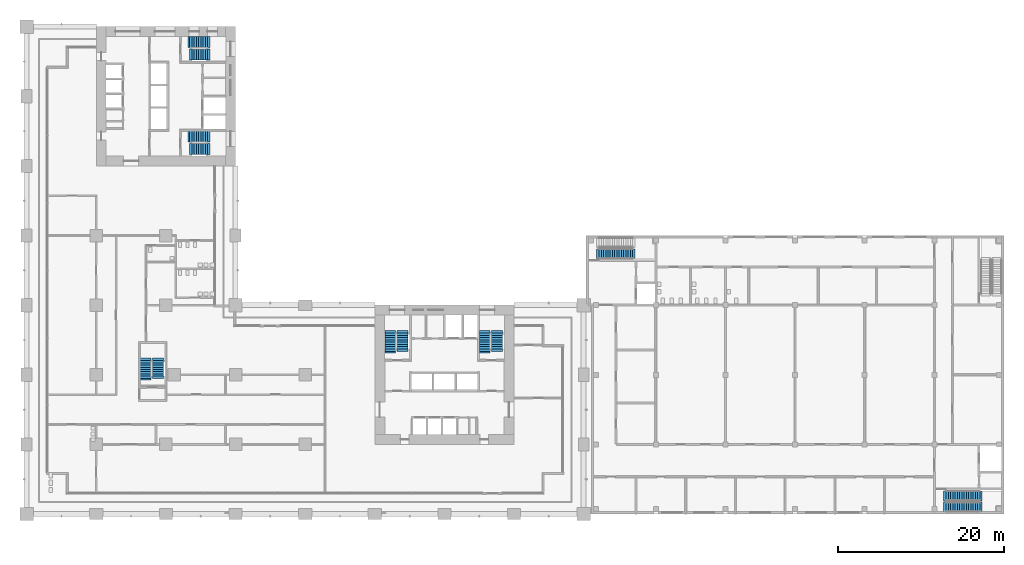
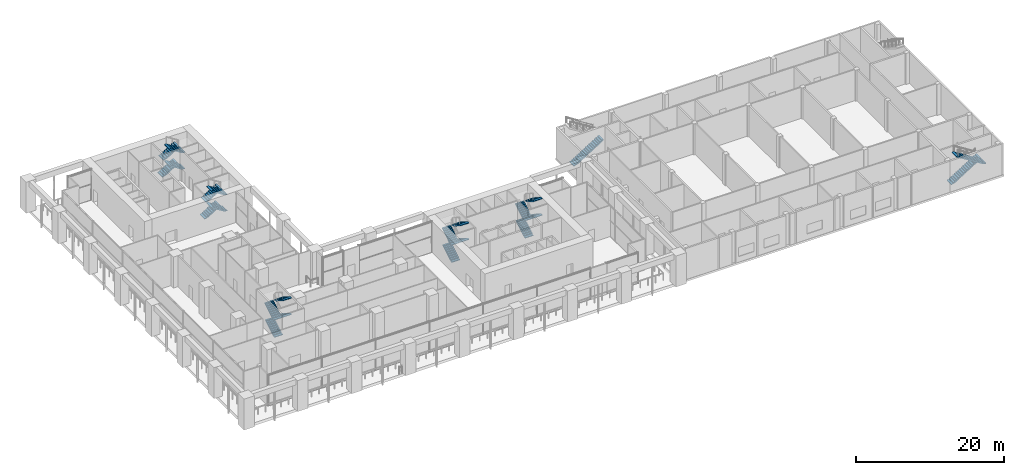
# One storey, part 23 of 33: 23 stair flights, 7 elements without a shape of their own.
"""IFC4 building model written with IfcOpenShell, lengths in metres."""

from ifc_helpers import new_model, si_unit, direction, frame, origin, place, context, subcontext, project, spatial, polyline, outline, extrude, material, type_object, element, aggregate, save


model = new_model("IFC4")

# Units and contexts
model_context = context("Model", 3, precision=1e-05, world=origin(), true_north=direction((0.0, 1.0)))
body_context = subcontext(model_context, "Body", "Model", "MODEL_VIEW")
ifc_project = project(units=[si_unit("LENGTHUNIT", "METRE"), si_unit("AREAUNIT", "SQUARE_METRE"), si_unit("VOLUMEUNIT", "CUBIC_METRE"), si_unit("PLANEANGLEUNIT", "RADIAN"), si_unit("MASSUNIT", "GRAM", prefix="KILO")], contexts=[model_context])

# Site, building, storey
site_placement = place(None, origin())
site = spatial("IfcSite", under=ifc_project, at=site_placement, CompositionType="ELEMENT")
building_placement = place(site_placement, origin())
building = spatial("IfcBuilding", under=site, at=building_placement, Name="Vermilion Gate Residences", CompositionType="ELEMENT")
storey_placement = place(building_placement, frame((0.0, 0.0, 14.39990234375)))
storey = spatial("IfcBuildingStorey", under=building, at=storey_placement, Name="L02", CompositionType="ELEMENT", Elevation=14.39990234375)

# Stair, stair flight
ifc_material_1 = material(Name="Concrete C35", Category="concrete")
stair_type_1 = type_object("IfcStairType", Name="RC STAIR 1200 (MARKET HALL)", PredefinedType="HALF_TURN_STAIR", material=ifc_material_1)
stair_1_placement = place(storey_placement, origin())
stair_1 = element("IfcStair", 1, at=stair_1_placement, inside=storey, type_object=stair_type_1, Name="Stair STH1-02", PredefinedType="HALF_TURN_STAIR")
ifc_material_2 = material(Name="Concrete C35", Category="concrete")
stair_flight_type_1 = type_object("IfcStairFlightType", Name="RC STAIR FLIGHT 1200 (MARKET HALL)", PredefinedType="STRAIGHT", material=ifc_material_2)
stair_flight_1_placement = place(storey_placement, frame((69.050048828125, 31.39990234375, 0.0), z_axis=(0.0, 0.0, 1.0), x_axis=(1.0, 0.0, 0.0)))
stair_flight_1 = element("IfcStairFlight", 2, at=stair_flight_1_placement, type_object=stair_flight_type_1, Name="STH1-02 flight 1", NumberOfRisers=16, NumberOfTreads=15, PredefinedType="STRAIGHT", RiserHeight=0.16875, TreadLength=0.27, context=body_context, shape_type="SweptSolid", body=[
    extrude(outline(polyline([(-0.300048828125, -0.14990234375), (-0.300048828125, -0.030029296875), (0.0, 0.0), (0.0, 0.168701171875), (0.27001953125, 0.168701171875), (0.27001953125, 0.33740234375), (0.5400390625, 0.33740234375), (0.5400390625, 0.50634765625), (0.81005859375, 0.50634765625), (0.81005859375, 0.675048828125), (1.080078125, 0.675048828125), (1.080078125, 0.84375), (1.35009765625, 0.84375), (1.35009765625, 1.012451171875), (1.6201171875, 1.012451171875), (1.6201171875, 1.18115234375), (1.889892578125, 1.18115234375), (1.889892578125, 1.35009765625), (2.159912109375, 1.35009765625), (2.159912109375, 1.518798828125), (2.429931640625, 1.518798828125), (2.429931640625, 1.6875), (2.699951171875, 1.6875), (2.699951171875, 1.856201171875), (2.969970703125, 1.856201171875), (2.969970703125, 2.02490234375), (3.239990234375, 2.02490234375), (3.239990234375, 2.19384765625), (3.510009765625, 2.19384765625), (3.510009765625, 2.362548828125), (3.780029296875, 2.362548828125), (3.780029296875, 2.53125), (4.050048828125, 2.53125), (4.050048828125, 2.699951171875), (4.35009765625, 2.669921875), (4.35009765625, 2.550048828125), (4.050048828125, 2.3544921875), (0.28271484375, 0.0), (-0.300048828125, -0.14990234375)])), frame((0.0, 0.60009765625, 0.0), z_axis=(0.0, -1.0, 0.0), x_axis=(1.0, 0.0, 0.0)), (0.0, 0.0, 1.0), 1.199951171875),
])
aggregate(stair_1, [stair_flight_1])

# Stair, stair flights
stair_2_placement = place(storey_placement, origin())
stair_2 = element("IfcStair", 3, at=stair_2_placement, inside=storey, type_object=stair_type_1, Name="Stair STH2-02", PredefinedType="HALF_TURN_STAIR")
stair_flight_2_placement = place(storey_placement, frame((110.925048828125, 2.199951171875, 0.0), z_axis=(0.0, 0.0, 1.0), x_axis=(1.0, 0.0, 0.0)))
stair_flight_2 = element("IfcStairFlight", 4, at=stair_flight_2_placement, type_object=stair_flight_type_1, Name="STH2-02 flight 1", NumberOfRisers=16, NumberOfTreads=15, PredefinedType="STRAIGHT", RiserHeight=0.16875, TreadLength=0.27, context=body_context, shape_type="SweptSolid", body=[
    extrude(outline(polyline([(-0.300048828125, -0.14990234375), (-0.300048828125, -0.030029296875), (0.0, 0.0), (0.0, 0.168701171875), (0.27001953125, 0.168701171875), (0.27001953125, 0.33740234375), (0.5400390625, 0.33740234375), (0.5400390625, 0.50634765625), (0.81005859375, 0.50634765625), (0.81005859375, 0.675048828125), (1.080078125, 0.675048828125), (1.080078125, 0.84375), (1.35009765625, 0.84375), (1.35009765625, 1.012451171875), (1.6201171875, 1.012451171875), (1.6201171875, 1.18115234375), (1.889892578125, 1.18115234375), (1.889892578125, 1.35009765625), (2.159912109375, 1.35009765625), (2.159912109375, 1.518798828125), (2.429931640625, 1.518798828125), (2.429931640625, 1.6875), (2.699951171875, 1.6875), (2.699951171875, 1.856201171875), (2.969970703125, 1.856201171875), (2.969970703125, 2.02490234375), (3.239990234375, 2.02490234375), (3.239990234375, 2.19384765625), (3.510009765625, 2.19384765625), (3.510009765625, 2.362548828125), (3.780029296875, 2.362548828125), (3.780029296875, 2.53125), (4.050048828125, 2.53125), (4.050048828125, 2.699951171875), (4.35009765625, 2.669921875), (4.35009765625, 2.550048828125), (4.050048828125, 2.3544921875), (0.28271484375, 0.0), (-0.300048828125, -0.14990234375)])), frame((0.0, 0.60009765625, 0.0), z_axis=(0.0, -1.0, 0.0), x_axis=(1.0, 0.0, 0.0)), (0.0, 0.0, 1.0), 1.199951171875),
])
stair_flight_3_placement = place(storey_placement, frame((114.97509765625, 0.85009765625, 2.7001953125), z_axis=(0.0, 0.0, 1.0), x_axis=(-1.0, 0.0, 0.0)))
stair_flight_3 = element("IfcStairFlight", 5, at=stair_flight_3_placement, type_object=stair_flight_type_1, Name="STH2-02 flight 2", NumberOfRisers=16, NumberOfTreads=15, PredefinedType="STRAIGHT", RiserHeight=0.16875, TreadLength=0.27, context=body_context, shape_type="SweptSolid", body=[
    extrude(outline(polyline([(-0.300048828125, -0.14990234375), (-0.300048828125, -0.030029296875), (0.0, 0.0), (0.0, 0.168701171875), (0.27001953125, 0.168701171875), (0.27001953125, 0.33740234375), (0.5400390625, 0.33740234375), (0.5400390625, 0.50634765625), (0.81005859375, 0.50634765625), (0.81005859375, 0.675048828125), (1.080078125, 0.675048828125), (1.080078125, 0.84375), (1.35009765625, 0.84375), (1.35009765625, 1.012451171875), (1.6201171875, 1.012451171875), (1.6201171875, 1.18115234375), (1.889892578125, 1.18115234375), (1.889892578125, 1.35009765625), (2.159912109375, 1.35009765625), (2.159912109375, 1.518798828125), (2.429931640625, 1.518798828125), (2.429931640625, 1.6875), (2.699951171875, 1.6875), (2.699951171875, 1.856201171875), (2.969970703125, 1.856201171875), (2.969970703125, 2.02490234375), (3.239990234375, 2.02490234375), (3.239990234375, 2.19384765625), (3.510009765625, 2.19384765625), (3.510009765625, 2.362548828125), (3.780029296875, 2.362548828125), (3.780029296875, 2.53125), (4.050048828125, 2.53125), (4.050048828125, 2.699951171875), (4.35009765625, 2.669921875), (4.35009765625, 2.550048828125), (4.050048828125, 2.3544921875), (0.28271484375, 0.0), (-0.300048828125, -0.14990234375)])), frame((0.0, 0.60009765625, 0.0), z_axis=(0.0, -1.0, 0.0), x_axis=(1.0, 0.0, 0.0)), (0.0, 0.0, 1.0), 1.199951171875),
])
aggregate(stair_2, [stair_flight_2, stair_flight_3])

ifc_material_3 = material(Name="Concrete C50", Category="concrete")
stair_type_2 = type_object("IfcStairType", Name="SPECIAL ESCAPE STAIR 1300", PredefinedType="HALF_TURN_STAIR", material=ifc_material_3)
stair_3_placement = place(storey_placement, origin())
stair_3 = element("IfcStair", 6, at=stair_3_placement, inside=storey, type_object=stair_type_2, Name="Special escape stair STA1-02", PredefinedType="HALF_TURN_STAIR")
ifc_material_4 = material(Name="Concrete C50", Category="concrete")
stair_flight_type_2 = type_object("IfcStairFlightType", Name="STAIR FLIGHT 1300 RC C50", PredefinedType="STRAIGHT", material=ifc_material_4)
stair_flight_4_placement = place(storey_placement, frame((43.85009765625, 19.75, 0.0), z_axis=(0.0, 0.0, 1.0), x_axis=(0.0, 1.0, 0.0)))
stair_flight_4 = element("IfcStairFlight", 7, at=stair_flight_4_placement, type_object=stair_flight_type_2, Name="STA1-02 flight 1", NumberOfRisers=8, NumberOfTreads=7, PredefinedType="STRAIGHT", RiserHeight=0.16875, TreadLength=0.27, context=body_context, shape_type="SweptSolid", body=[
    extrude(outline(polyline([(-0.300048828125, -0.14990234375), (-0.300048828125, -0.030029296875), (0.0, 0.0), (0.0, 0.168701171875), (0.27001953125, 0.168701171875), (0.27001953125, 0.33740234375), (0.5400390625, 0.33740234375), (0.5400390625, 0.50634765625), (0.81005859375, 0.50634765625), (0.81005859375, 0.675048828125), (1.080078125, 0.675048828125), (1.080078125, 0.84375), (1.35009765625, 0.84375), (1.35009765625, 1.012451171875), (1.6201171875, 1.012451171875), (1.6201171875, 1.18115234375), (1.889892578125, 1.18115234375), (1.889892578125, 1.35009765625), (2.18994140625, 1.320068359375), (2.18994140625, 1.2001953125), (1.889892578125, 1.00439453125), (0.28271484375, 0.0), (-0.300048828125, -0.14990234375)])), frame((0.0, 0.64990234375, 0.0), z_axis=(0.0, -1.0, 0.0), x_axis=(1.0, 0.0, 0.0)), (0.0, 0.0, 1.0), 1.300048828125),
])
stair_flight_5_placement = place(storey_placement, frame((45.35009765625, 21.820068359375, 1.35009765625), z_axis=(0.0, 0.0, 1.0), x_axis=(0.0, -1.0, 0.0)))
stair_flight_5 = element("IfcStairFlight", 8, at=stair_flight_5_placement, type_object=stair_flight_type_2, Name="STA1-02 flight 2", NumberOfRisers=8, NumberOfTreads=7, PredefinedType="STRAIGHT", RiserHeight=0.16875, TreadLength=0.27, context=body_context, shape_type="SweptSolid", body=[
    extrude(outline(polyline([(-0.300048828125, -0.14990234375), (-0.300048828125, -0.030029296875), (0.0, 0.0), (0.0, 0.168701171875), (0.27001953125, 0.168701171875), (0.27001953125, 0.33740234375), (0.5400390625, 0.33740234375), (0.5400390625, 0.50634765625), (0.81005859375, 0.50634765625), (0.81005859375, 0.675048828125), (1.080078125, 0.675048828125), (1.080078125, 0.84375), (1.35009765625, 0.84375), (1.35009765625, 1.012451171875), (1.6201171875, 1.012451171875), (1.6201171875, 1.18115234375), (1.889892578125, 1.18115234375), (1.889892578125, 1.35009765625), (2.18994140625, 1.320068359375), (2.18994140625, 1.2001953125), (1.889892578125, 1.00439453125), (0.28271484375, 0.0), (-0.300048828125, -0.14990234375)])), frame((0.0, 0.64990234375, 0.0), z_axis=(0.0, -1.0, 0.0), x_axis=(1.0, 0.0, 0.0)), (0.0, 0.0, 1.0), 1.300048828125),
])
stair_flight_6_placement = place(storey_placement, frame((43.85009765625, 19.929931640625, 2.7001953125), z_axis=(0.0, 0.0, 1.0), x_axis=(0.0, 1.0, 0.0)))
stair_flight_6 = element("IfcStairFlight", 9, at=stair_flight_6_placement, type_object=stair_flight_type_2, Name="STA1-02 flight 3", NumberOfRisers=8, NumberOfTreads=7, PredefinedType="STRAIGHT", RiserHeight=0.16875, TreadLength=0.27, context=body_context, shape_type="SweptSolid", body=[
    extrude(outline(polyline([(-0.300048828125, -0.14990234375), (-0.300048828125, -0.030029296875), (0.0, 0.0), (0.0, 0.168701171875), (0.27001953125, 0.168701171875), (0.27001953125, 0.33740234375), (0.5400390625, 0.33740234375), (0.5400390625, 0.50634765625), (0.81005859375, 0.50634765625), (0.81005859375, 0.675048828125), (1.080078125, 0.675048828125), (1.080078125, 0.84375), (1.35009765625, 0.84375), (1.35009765625, 1.012451171875), (1.6201171875, 1.012451171875), (1.6201171875, 1.18115234375), (1.889892578125, 1.18115234375), (1.889892578125, 1.35009765625), (2.18994140625, 1.320068359375), (2.18994140625, 1.2001953125), (1.889892578125, 1.00439453125), (0.28271484375, 0.0), (-0.300048828125, -0.14990234375)])), frame((0.0, 0.64990234375, 0.0), z_axis=(0.0, -1.0, 0.0), x_axis=(1.0, 0.0, 0.0)), (0.0, 0.0, 1.0), 1.300048828125),
])
stair_flight_7_placement = place(storey_placement, frame((45.35009765625, 21.820068359375, 4.050048828125), z_axis=(0.0, 0.0, 1.0), x_axis=(0.0, -1.0, 0.0)))
stair_flight_7 = element("IfcStairFlight", 10, at=stair_flight_7_placement, type_object=stair_flight_type_2, Name="STA1-02 flight 4", NumberOfRisers=8, NumberOfTreads=7, PredefinedType="STRAIGHT", RiserHeight=0.16875, TreadLength=0.27, context=body_context, shape_type="SweptSolid", body=[
    extrude(outline(polyline([(-0.300048828125, -0.14990234375), (-0.300048828125, -0.030029296875), (0.0, 0.0), (0.0, 0.168701171875), (0.27001953125, 0.168701171875), (0.27001953125, 0.33740234375), (0.5400390625, 0.33740234375), (0.5400390625, 0.50634765625), (0.81005859375, 0.50634765625), (0.81005859375, 0.675048828125), (1.080078125, 0.675048828125), (1.080078125, 0.84375), (1.35009765625, 0.84375), (1.35009765625, 1.012451171875), (1.6201171875, 1.012451171875), (1.6201171875, 1.18115234375), (1.889892578125, 1.18115234375), (1.889892578125, 1.35009765625), (2.18994140625, 1.320068359375), (2.18994140625, 1.2001953125), (1.889892578125, 1.00439453125), (0.28271484375, 0.0), (-0.300048828125, -0.14990234375)])), frame((0.0, 0.64990234375, 0.0), z_axis=(0.0, -1.0, 0.0), x_axis=(1.0, 0.0, 0.0)), (0.0, 0.0, 1.0), 1.300048828125),
])
aggregate(stair_3, [stair_flight_4, stair_flight_5, stair_flight_6, stair_flight_7])

stair_4_placement = place(storey_placement, origin())
stair_4 = element("IfcStair", 11, at=stair_4_placement, inside=storey, type_object=stair_type_2, Name="Special escape stair STA2-02", PredefinedType="HALF_TURN_STAIR")
stair_flight_8_placement = place(storey_placement, frame((55.25, 19.75, 0.0), z_axis=(0.0, 0.0, 1.0), x_axis=(0.0, 1.0, 0.0)))
stair_flight_8 = element("IfcStairFlight", 12, at=stair_flight_8_placement, type_object=stair_flight_type_2, Name="STA2-02 flight 1", NumberOfRisers=8, NumberOfTreads=7, PredefinedType="STRAIGHT", RiserHeight=0.16875, TreadLength=0.27, context=body_context, shape_type="SweptSolid", body=[
    extrude(outline(polyline([(-0.300048828125, -0.14990234375), (-0.300048828125, -0.030029296875), (0.0, 0.0), (0.0, 0.168701171875), (0.27001953125, 0.168701171875), (0.27001953125, 0.33740234375), (0.5400390625, 0.33740234375), (0.5400390625, 0.50634765625), (0.81005859375, 0.50634765625), (0.81005859375, 0.675048828125), (1.080078125, 0.675048828125), (1.080078125, 0.84375), (1.35009765625, 0.84375), (1.35009765625, 1.012451171875), (1.6201171875, 1.012451171875), (1.6201171875, 1.18115234375), (1.889892578125, 1.18115234375), (1.889892578125, 1.35009765625), (2.18994140625, 1.320068359375), (2.18994140625, 1.2001953125), (1.889892578125, 1.00439453125), (0.28271484375, 0.0), (-0.300048828125, -0.14990234375)])), frame((0.0, 0.64990234375, 0.0), z_axis=(0.0, -1.0, 0.0), x_axis=(1.0, 0.0, 0.0)), (0.0, 0.0, 1.0), 1.300048828125),
])
stair_flight_9_placement = place(storey_placement, frame((56.75, 21.820068359375, 1.35009765625), z_axis=(0.0, 0.0, 1.0), x_axis=(0.0, -1.0, 0.0)))
stair_flight_9 = element("IfcStairFlight", 13, at=stair_flight_9_placement, type_object=stair_flight_type_2, Name="STA2-02 flight 2", NumberOfRisers=8, NumberOfTreads=7, PredefinedType="STRAIGHT", RiserHeight=0.16875, TreadLength=0.27, context=body_context, shape_type="SweptSolid", body=[
    extrude(outline(polyline([(-0.300048828125, -0.14990234375), (-0.300048828125, -0.030029296875), (0.0, 0.0), (0.0, 0.168701171875), (0.27001953125, 0.168701171875), (0.27001953125, 0.33740234375), (0.5400390625, 0.33740234375), (0.5400390625, 0.50634765625), (0.81005859375, 0.50634765625), (0.81005859375, 0.675048828125), (1.080078125, 0.675048828125), (1.080078125, 0.84375), (1.35009765625, 0.84375), (1.35009765625, 1.012451171875), (1.6201171875, 1.012451171875), (1.6201171875, 1.18115234375), (1.889892578125, 1.18115234375), (1.889892578125, 1.35009765625), (2.18994140625, 1.320068359375), (2.18994140625, 1.2001953125), (1.889892578125, 1.00439453125), (0.28271484375, 0.0), (-0.300048828125, -0.14990234375)])), frame((0.0, 0.64990234375, 0.0), z_axis=(0.0, -1.0, 0.0), x_axis=(1.0, 0.0, 0.0)), (0.0, 0.0, 1.0), 1.300048828125),
])
stair_flight_10_placement = place(storey_placement, frame((55.25, 19.929931640625, 2.7001953125), z_axis=(0.0, 0.0, 1.0), x_axis=(0.0, 1.0, 0.0)))
stair_flight_10 = element("IfcStairFlight", 14, at=stair_flight_10_placement, type_object=stair_flight_type_2, Name="STA2-02 flight 3", NumberOfRisers=8, NumberOfTreads=7, PredefinedType="STRAIGHT", RiserHeight=0.16875, TreadLength=0.27, context=body_context, shape_type="SweptSolid", body=[
    extrude(outline(polyline([(-0.300048828125, -0.14990234375), (-0.300048828125, -0.030029296875), (0.0, 0.0), (0.0, 0.168701171875), (0.27001953125, 0.168701171875), (0.27001953125, 0.33740234375), (0.5400390625, 0.33740234375), (0.5400390625, 0.50634765625), (0.81005859375, 0.50634765625), (0.81005859375, 0.675048828125), (1.080078125, 0.675048828125), (1.080078125, 0.84375), (1.35009765625, 0.84375), (1.35009765625, 1.012451171875), (1.6201171875, 1.012451171875), (1.6201171875, 1.18115234375), (1.889892578125, 1.18115234375), (1.889892578125, 1.35009765625), (2.18994140625, 1.320068359375), (2.18994140625, 1.2001953125), (1.889892578125, 1.00439453125), (0.28271484375, 0.0), (-0.300048828125, -0.14990234375)])), frame((0.0, 0.64990234375, 0.0), z_axis=(0.0, -1.0, 0.0), x_axis=(1.0, 0.0, 0.0)), (0.0, 0.0, 1.0), 1.300048828125),
])
stair_flight_11_placement = place(storey_placement, frame((56.75, 21.820068359375, 4.050048828125), z_axis=(0.0, 0.0, 1.0), x_axis=(0.0, -1.0, 0.0)))
stair_flight_11 = element("IfcStairFlight", 15, at=stair_flight_11_placement, type_object=stair_flight_type_2, Name="STA2-02 flight 4", NumberOfRisers=8, NumberOfTreads=7, PredefinedType="STRAIGHT", RiserHeight=0.16875, TreadLength=0.27, context=body_context, shape_type="SweptSolid", body=[
    extrude(outline(polyline([(-0.300048828125, -0.14990234375), (-0.300048828125, -0.030029296875), (0.0, 0.0), (0.0, 0.168701171875), (0.27001953125, 0.168701171875), (0.27001953125, 0.33740234375), (0.5400390625, 0.33740234375), (0.5400390625, 0.50634765625), (0.81005859375, 0.50634765625), (0.81005859375, 0.675048828125), (1.080078125, 0.675048828125), (1.080078125, 0.84375), (1.35009765625, 0.84375), (1.35009765625, 1.012451171875), (1.6201171875, 1.012451171875), (1.6201171875, 1.18115234375), (1.889892578125, 1.18115234375), (1.889892578125, 1.35009765625), (2.18994140625, 1.320068359375), (2.18994140625, 1.2001953125), (1.889892578125, 1.00439453125), (0.28271484375, 0.0), (-0.300048828125, -0.14990234375)])), frame((0.0, 0.64990234375, 0.0), z_axis=(0.0, -1.0, 0.0), x_axis=(1.0, 0.0, 0.0)), (0.0, 0.0, 1.0), 1.300048828125),
])
aggregate(stair_4, [stair_flight_8, stair_flight_9, stair_flight_10, stair_flight_11])

stair_5_placement = place(storey_placement, origin())
stair_5 = element("IfcStair", 16, at=stair_5_placement, inside=storey, type_object=stair_type_2, Name="Special escape stair STB1-02", PredefinedType="HALF_TURN_STAIR")
stair_flight_12_placement = place(storey_placement, frame((19.75, 56.949951171875, 0.0), z_axis=(0.0, 0.0, 1.0), x_axis=(1.0, 0.0, 0.0)))
stair_flight_12 = element("IfcStairFlight", 17, at=stair_flight_12_placement, type_object=stair_flight_type_2, Name="STB1-02 flight 1", NumberOfRisers=8, NumberOfTreads=7, PredefinedType="STRAIGHT", RiserHeight=0.16875, TreadLength=0.27, context=body_context, shape_type="SweptSolid", body=[
    extrude(outline(polyline([(-0.300048828125, -0.14990234375), (-0.300048828125, -0.030029296875), (0.0, 0.0), (0.0, 0.168701171875), (0.27001953125, 0.168701171875), (0.27001953125, 0.33740234375), (0.5400390625, 0.33740234375), (0.5400390625, 0.50634765625), (0.81005859375, 0.50634765625), (0.81005859375, 0.675048828125), (1.080078125, 0.675048828125), (1.080078125, 0.84375), (1.35009765625, 0.84375), (1.35009765625, 1.012451171875), (1.6201171875, 1.012451171875), (1.6201171875, 1.18115234375), (1.889892578125, 1.18115234375), (1.889892578125, 1.35009765625), (2.18994140625, 1.320068359375), (2.18994140625, 1.2001953125), (1.889892578125, 1.00439453125), (0.28271484375, 0.0), (-0.300048828125, -0.14990234375)])), frame((0.0, 0.64990234375, 0.0), z_axis=(0.0, -1.0, 0.0), x_axis=(1.0, 0.0, 0.0)), (0.0, 0.0, 1.0), 1.300048828125),
])
stair_flight_13_placement = place(storey_placement, frame((21.820068359375, 55.449951171875, 1.35009765625), z_axis=(0.0, 0.0, 1.0), x_axis=(-1.0, 0.0, 0.0)))
stair_flight_13 = element("IfcStairFlight", 18, at=stair_flight_13_placement, type_object=stair_flight_type_2, Name="STB1-02 flight 2", NumberOfRisers=8, NumberOfTreads=7, PredefinedType="STRAIGHT", RiserHeight=0.16875, TreadLength=0.27, context=body_context, shape_type="SweptSolid", body=[
    extrude(outline(polyline([(-0.300048828125, -0.14990234375), (-0.300048828125, -0.030029296875), (0.0, 0.0), (0.0, 0.168701171875), (0.27001953125, 0.168701171875), (0.27001953125, 0.33740234375), (0.5400390625, 0.33740234375), (0.5400390625, 0.50634765625), (0.81005859375, 0.50634765625), (0.81005859375, 0.675048828125), (1.080078125, 0.675048828125), (1.080078125, 0.84375), (1.35009765625, 0.84375), (1.35009765625, 1.012451171875), (1.6201171875, 1.012451171875), (1.6201171875, 1.18115234375), (1.889892578125, 1.18115234375), (1.889892578125, 1.35009765625), (2.18994140625, 1.320068359375), (2.18994140625, 1.2001953125), (1.889892578125, 1.00439453125), (0.28271484375, 0.0), (-0.300048828125, -0.14990234375)])), frame((0.0, 0.64990234375, 0.0), z_axis=(0.0, -1.0, 0.0), x_axis=(1.0, 0.0, 0.0)), (0.0, 0.0, 1.0), 1.300048828125),
])
stair_flight_14_placement = place(storey_placement, frame((19.929931640625, 56.949951171875, 2.7001953125), z_axis=(0.0, 0.0, 1.0), x_axis=(1.0, 0.0, 0.0)))
stair_flight_14 = element("IfcStairFlight", 19, at=stair_flight_14_placement, type_object=stair_flight_type_2, Name="STB1-02 flight 3", NumberOfRisers=8, NumberOfTreads=7, PredefinedType="STRAIGHT", RiserHeight=0.16875, TreadLength=0.27, context=body_context, shape_type="SweptSolid", body=[
    extrude(outline(polyline([(-0.300048828125, -0.14990234375), (-0.300048828125, -0.030029296875), (0.0, 0.0), (0.0, 0.168701171875), (0.27001953125, 0.168701171875), (0.27001953125, 0.33740234375), (0.5400390625, 0.33740234375), (0.5400390625, 0.50634765625), (0.81005859375, 0.50634765625), (0.81005859375, 0.675048828125), (1.080078125, 0.675048828125), (1.080078125, 0.84375), (1.35009765625, 0.84375), (1.35009765625, 1.012451171875), (1.6201171875, 1.012451171875), (1.6201171875, 1.18115234375), (1.889892578125, 1.18115234375), (1.889892578125, 1.35009765625), (2.18994140625, 1.320068359375), (2.18994140625, 1.2001953125), (1.889892578125, 1.00439453125), (0.28271484375, 0.0), (-0.300048828125, -0.14990234375)])), frame((0.0, 0.64990234375, 0.0), z_axis=(0.0, -1.0, 0.0), x_axis=(1.0, 0.0, 0.0)), (0.0, 0.0, 1.0), 1.300048828125),
])
stair_flight_15_placement = place(storey_placement, frame((21.820068359375, 55.449951171875, 4.050048828125), z_axis=(0.0, 0.0, 1.0), x_axis=(-1.0, 0.0, 0.0)))
stair_flight_15 = element("IfcStairFlight", 20, at=stair_flight_15_placement, type_object=stair_flight_type_2, Name="STB1-02 flight 4", NumberOfRisers=8, NumberOfTreads=7, PredefinedType="STRAIGHT", RiserHeight=0.16875, TreadLength=0.27, context=body_context, shape_type="SweptSolid", body=[
    extrude(outline(polyline([(-0.300048828125, -0.14990234375), (-0.300048828125, -0.030029296875), (0.0, 0.0), (0.0, 0.168701171875), (0.27001953125, 0.168701171875), (0.27001953125, 0.33740234375), (0.5400390625, 0.33740234375), (0.5400390625, 0.50634765625), (0.81005859375, 0.50634765625), (0.81005859375, 0.675048828125), (1.080078125, 0.675048828125), (1.080078125, 0.84375), (1.35009765625, 0.84375), (1.35009765625, 1.012451171875), (1.6201171875, 1.012451171875), (1.6201171875, 1.18115234375), (1.889892578125, 1.18115234375), (1.889892578125, 1.35009765625), (2.18994140625, 1.320068359375), (2.18994140625, 1.2001953125), (1.889892578125, 1.00439453125), (0.28271484375, 0.0), (-0.300048828125, -0.14990234375)])), frame((0.0, 0.64990234375, 0.0), z_axis=(0.0, -1.0, 0.0), x_axis=(1.0, 0.0, 0.0)), (0.0, 0.0, 1.0), 1.300048828125),
])
aggregate(stair_5, [stair_flight_12, stair_flight_13, stair_flight_14, stair_flight_15])

stair_6_placement = place(storey_placement, origin())
stair_6 = element("IfcStair", 21, at=stair_6_placement, inside=storey, type_object=stair_type_2, Name="Special escape stair STB2-02", PredefinedType="HALF_TURN_STAIR")
stair_flight_16_placement = place(storey_placement, frame((19.75, 45.550048828125, 0.0), z_axis=(0.0, 0.0, 1.0), x_axis=(1.0, 0.0, 0.0)))
stair_flight_16 = element("IfcStairFlight", 22, at=stair_flight_16_placement, type_object=stair_flight_type_2, Name="STB2-02 flight 1", NumberOfRisers=8, NumberOfTreads=7, PredefinedType="STRAIGHT", RiserHeight=0.16875, TreadLength=0.27, context=body_context, shape_type="SweptSolid", body=[
    extrude(outline(polyline([(-0.300048828125, -0.14990234375), (-0.300048828125, -0.030029296875), (0.0, 0.0), (0.0, 0.168701171875), (0.27001953125, 0.168701171875), (0.27001953125, 0.33740234375), (0.5400390625, 0.33740234375), (0.5400390625, 0.50634765625), (0.81005859375, 0.50634765625), (0.81005859375, 0.675048828125), (1.080078125, 0.675048828125), (1.080078125, 0.84375), (1.35009765625, 0.84375), (1.35009765625, 1.012451171875), (1.6201171875, 1.012451171875), (1.6201171875, 1.18115234375), (1.889892578125, 1.18115234375), (1.889892578125, 1.35009765625), (2.18994140625, 1.320068359375), (2.18994140625, 1.2001953125), (1.889892578125, 1.00439453125), (0.28271484375, 0.0), (-0.300048828125, -0.14990234375)])), frame((0.0, 0.64990234375, 0.0), z_axis=(0.0, -1.0, 0.0), x_axis=(1.0, 0.0, 0.0)), (0.0, 0.0, 1.0), 1.300048828125),
])
stair_flight_17_placement = place(storey_placement, frame((21.820068359375, 44.050048828125, 1.35009765625), z_axis=(0.0, 0.0, 1.0), x_axis=(-1.0, 0.0, 0.0)))
stair_flight_17 = element("IfcStairFlight", 23, at=stair_flight_17_placement, type_object=stair_flight_type_2, Name="STB2-02 flight 2", NumberOfRisers=8, NumberOfTreads=7, PredefinedType="STRAIGHT", RiserHeight=0.16875, TreadLength=0.27, context=body_context, shape_type="SweptSolid", body=[
    extrude(outline(polyline([(-0.300048828125, -0.14990234375), (-0.300048828125, -0.030029296875), (0.0, 0.0), (0.0, 0.168701171875), (0.27001953125, 0.168701171875), (0.27001953125, 0.33740234375), (0.5400390625, 0.33740234375), (0.5400390625, 0.50634765625), (0.81005859375, 0.50634765625), (0.81005859375, 0.675048828125), (1.080078125, 0.675048828125), (1.080078125, 0.84375), (1.35009765625, 0.84375), (1.35009765625, 1.012451171875), (1.6201171875, 1.012451171875), (1.6201171875, 1.18115234375), (1.889892578125, 1.18115234375), (1.889892578125, 1.35009765625), (2.18994140625, 1.320068359375), (2.18994140625, 1.2001953125), (1.889892578125, 1.00439453125), (0.28271484375, 0.0), (-0.300048828125, -0.14990234375)])), frame((0.0, 0.64990234375, 0.0), z_axis=(0.0, -1.0, 0.0), x_axis=(1.0, 0.0, 0.0)), (0.0, 0.0, 1.0), 1.300048828125),
])
stair_flight_18_placement = place(storey_placement, frame((19.929931640625, 45.550048828125, 2.7001953125), z_axis=(0.0, 0.0, 1.0), x_axis=(1.0, 0.0, 0.0)))
stair_flight_18 = element("IfcStairFlight", 24, at=stair_flight_18_placement, type_object=stair_flight_type_2, Name="STB2-02 flight 3", NumberOfRisers=8, NumberOfTreads=7, PredefinedType="STRAIGHT", RiserHeight=0.16875, TreadLength=0.27, context=body_context, shape_type="SweptSolid", body=[
    extrude(outline(polyline([(-0.300048828125, -0.14990234375), (-0.300048828125, -0.030029296875), (0.0, 0.0), (0.0, 0.168701171875), (0.27001953125, 0.168701171875), (0.27001953125, 0.33740234375), (0.5400390625, 0.33740234375), (0.5400390625, 0.50634765625), (0.81005859375, 0.50634765625), (0.81005859375, 0.675048828125), (1.080078125, 0.675048828125), (1.080078125, 0.84375), (1.35009765625, 0.84375), (1.35009765625, 1.012451171875), (1.6201171875, 1.012451171875), (1.6201171875, 1.18115234375), (1.889892578125, 1.18115234375), (1.889892578125, 1.35009765625), (2.18994140625, 1.320068359375), (2.18994140625, 1.2001953125), (1.889892578125, 1.00439453125), (0.28271484375, 0.0), (-0.300048828125, -0.14990234375)])), frame((0.0, 0.64990234375, 0.0), z_axis=(0.0, -1.0, 0.0), x_axis=(1.0, 0.0, 0.0)), (0.0, 0.0, 1.0), 1.300048828125),
])
stair_flight_19_placement = place(storey_placement, frame((21.820068359375, 44.050048828125, 4.050048828125), z_axis=(0.0, 0.0, 1.0), x_axis=(-1.0, 0.0, 0.0)))
stair_flight_19 = element("IfcStairFlight", 25, at=stair_flight_19_placement, type_object=stair_flight_type_2, Name="STB2-02 flight 4", NumberOfRisers=8, NumberOfTreads=7, PredefinedType="STRAIGHT", RiserHeight=0.16875, TreadLength=0.27, context=body_context, shape_type="SweptSolid", body=[
    extrude(outline(polyline([(-0.300048828125, -0.14990234375), (-0.300048828125, -0.030029296875), (0.0, 0.0), (0.0, 0.168701171875), (0.27001953125, 0.168701171875), (0.27001953125, 0.33740234375), (0.5400390625, 0.33740234375), (0.5400390625, 0.50634765625), (0.81005859375, 0.50634765625), (0.81005859375, 0.675048828125), (1.080078125, 0.675048828125), (1.080078125, 0.84375), (1.35009765625, 0.84375), (1.35009765625, 1.012451171875), (1.6201171875, 1.012451171875), (1.6201171875, 1.18115234375), (1.889892578125, 1.18115234375), (1.889892578125, 1.35009765625), (2.18994140625, 1.320068359375), (2.18994140625, 1.2001953125), (1.889892578125, 1.00439453125), (0.28271484375, 0.0), (-0.300048828125, -0.14990234375)])), frame((0.0, 0.64990234375, 0.0), z_axis=(0.0, -1.0, 0.0), x_axis=(1.0, 0.0, 0.0)), (0.0, 0.0, 1.0), 1.300048828125),
])
aggregate(stair_6, [stair_flight_16, stair_flight_17, stair_flight_18, stair_flight_19])

stair_7_placement = place(storey_placement, origin())
stair_7 = element("IfcStair", 26, at=stair_7_placement, inside=storey, type_object=stair_type_2, Name="Special escape stair STC1-02", PredefinedType="HALF_TURN_STAIR")
stair_flight_20_placement = place(storey_placement, frame((14.35009765625, 16.449951171875, 0.0), z_axis=(0.0, 0.0, 1.0), x_axis=(0.0, 1.0, 0.0)))
stair_flight_20 = element("IfcStairFlight", 27, at=stair_flight_20_placement, type_object=stair_flight_type_2, Name="STC1-02 flight 1", NumberOfRisers=8, NumberOfTreads=7, PredefinedType="STRAIGHT", RiserHeight=0.16875, TreadLength=0.27, context=body_context, shape_type="SweptSolid", body=[
    extrude(outline(polyline([(-0.300048828125, -0.14990234375), (-0.300048828125, -0.030029296875), (0.0, 0.0), (0.0, 0.168701171875), (0.27001953125, 0.168701171875), (0.27001953125, 0.33740234375), (0.5400390625, 0.33740234375), (0.5400390625, 0.50634765625), (0.81005859375, 0.50634765625), (0.81005859375, 0.675048828125), (1.080078125, 0.675048828125), (1.080078125, 0.84375), (1.35009765625, 0.84375), (1.35009765625, 1.012451171875), (1.6201171875, 1.012451171875), (1.6201171875, 1.18115234375), (1.889892578125, 1.18115234375), (1.889892578125, 1.35009765625), (2.18994140625, 1.320068359375), (2.18994140625, 1.2001953125), (1.889892578125, 1.00439453125), (0.28271484375, 0.0), (-0.300048828125, -0.14990234375)])), frame((0.0, 0.64990234375, 0.0), z_axis=(0.0, -1.0, 0.0), x_axis=(1.0, 0.0, 0.0)), (0.0, 0.0, 1.0), 1.300048828125),
])
stair_flight_21_placement = place(storey_placement, frame((15.85009765625, 18.52001953125, 1.35009765625), z_axis=(0.0, 0.0, 1.0), x_axis=(0.0, -1.0, 0.0)))
stair_flight_21 = element("IfcStairFlight", 28, at=stair_flight_21_placement, type_object=stair_flight_type_2, Name="STC1-02 flight 2", NumberOfRisers=8, NumberOfTreads=7, PredefinedType="STRAIGHT", RiserHeight=0.16875, TreadLength=0.27, context=body_context, shape_type="SweptSolid", body=[
    extrude(outline(polyline([(-0.300048828125, -0.14990234375), (-0.300048828125, -0.030029296875), (0.0, 0.0), (0.0, 0.168701171875), (0.27001953125, 0.168701171875), (0.27001953125, 0.33740234375), (0.5400390625, 0.33740234375), (0.5400390625, 0.50634765625), (0.81005859375, 0.50634765625), (0.81005859375, 0.675048828125), (1.080078125, 0.675048828125), (1.080078125, 0.84375), (1.35009765625, 0.84375), (1.35009765625, 1.012451171875), (1.6201171875, 1.012451171875), (1.6201171875, 1.18115234375), (1.889892578125, 1.18115234375), (1.889892578125, 1.35009765625), (2.18994140625, 1.320068359375), (2.18994140625, 1.2001953125), (1.889892578125, 1.00439453125), (0.28271484375, 0.0), (-0.300048828125, -0.14990234375)])), frame((0.0, 0.64990234375, 0.0), z_axis=(0.0, -1.0, 0.0), x_axis=(1.0, 0.0, 0.0)), (0.0, 0.0, 1.0), 1.300048828125),
])
stair_flight_22_placement = place(storey_placement, frame((14.35009765625, 16.6298828125, 2.7001953125), z_axis=(0.0, 0.0, 1.0), x_axis=(0.0, 1.0, 0.0)))
stair_flight_22 = element("IfcStairFlight", 29, at=stair_flight_22_placement, type_object=stair_flight_type_2, Name="STC1-02 flight 3", NumberOfRisers=8, NumberOfTreads=7, PredefinedType="STRAIGHT", RiserHeight=0.16875, TreadLength=0.27, context=body_context, shape_type="SweptSolid", body=[
    extrude(outline(polyline([(-0.300048828125, -0.14990234375), (-0.300048828125, -0.030029296875), (0.0, 0.0), (0.0, 0.168701171875), (0.27001953125, 0.168701171875), (0.27001953125, 0.33740234375), (0.5400390625, 0.33740234375), (0.5400390625, 0.50634765625), (0.81005859375, 0.50634765625), (0.81005859375, 0.675048828125), (1.080078125, 0.675048828125), (1.080078125, 0.84375), (1.35009765625, 0.84375), (1.35009765625, 1.012451171875), (1.6201171875, 1.012451171875), (1.6201171875, 1.18115234375), (1.889892578125, 1.18115234375), (1.889892578125, 1.35009765625), (2.18994140625, 1.320068359375), (2.18994140625, 1.2001953125), (1.889892578125, 1.00439453125), (0.28271484375, 0.0), (-0.300048828125, -0.14990234375)])), frame((0.0, 0.64990234375, 0.0), z_axis=(0.0, -1.0, 0.0), x_axis=(1.0, 0.0, 0.0)), (0.0, 0.0, 1.0), 1.300048828125),
])
stair_flight_23_placement = place(storey_placement, frame((15.85009765625, 18.52001953125, 4.050048828125), z_axis=(0.0, 0.0, 1.0), x_axis=(0.0, -1.0, 0.0)))
stair_flight_23 = element("IfcStairFlight", 30, at=stair_flight_23_placement, type_object=stair_flight_type_2, Name="STC1-02 flight 4", NumberOfRisers=8, NumberOfTreads=7, PredefinedType="STRAIGHT", RiserHeight=0.16875, TreadLength=0.27, context=body_context, shape_type="SweptSolid", body=[
    extrude(outline(polyline([(-0.300048828125, -0.14990234375), (-0.300048828125, -0.030029296875), (0.0, 0.0), (0.0, 0.168701171875), (0.27001953125, 0.168701171875), (0.27001953125, 0.33740234375), (0.5400390625, 0.33740234375), (0.5400390625, 0.50634765625), (0.81005859375, 0.50634765625), (0.81005859375, 0.675048828125), (1.080078125, 0.675048828125), (1.080078125, 0.84375), (1.35009765625, 0.84375), (1.35009765625, 1.012451171875), (1.6201171875, 1.012451171875), (1.6201171875, 1.18115234375), (1.889892578125, 1.18115234375), (1.889892578125, 1.35009765625), (2.18994140625, 1.320068359375), (2.18994140625, 1.2001953125), (1.889892578125, 1.00439453125), (0.28271484375, 0.0), (-0.300048828125, -0.14990234375)])), frame((0.0, 0.64990234375, 0.0), z_axis=(0.0, -1.0, 0.0), x_axis=(1.0, 0.0, 0.0)), (0.0, 0.0, 1.0), 1.300048828125),
])
aggregate(stair_7, [stair_flight_20, stair_flight_21, stair_flight_22, stair_flight_23])

save(model, "model.ifc")
